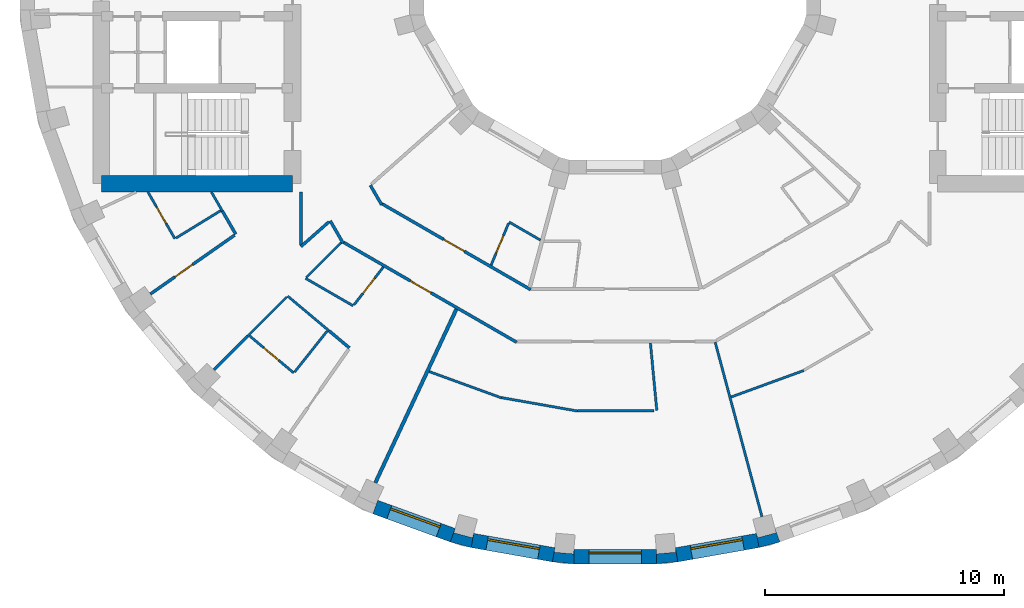
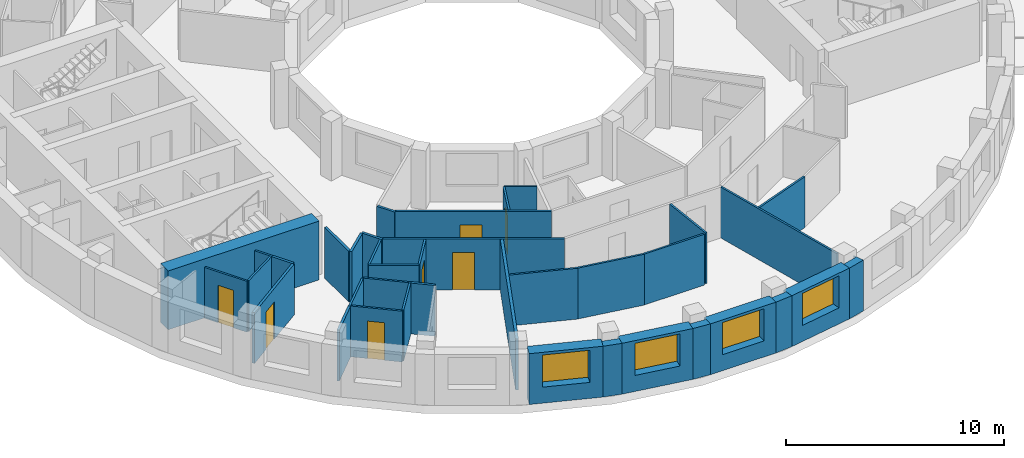
# One storey, part 2 of 11: 38 walls, 7 doors, 4 windows, 11 openings.
"""IFC4 building model written with IfcOpenShell, lengths in metres."""

from ifc_helpers import new_model, si_unit, direction, frame, frame_2d, origin, place, context, subcontext, project, spatial, polyline, rectangle, outline, extrude, material, layer, layer_set, type_object, element, fill, save


model = new_model("IFC4")

# Units and contexts
model_context = context("Model", 3, precision=1e-05, world=origin(), true_north=direction((0.0, 1.0)))
body_context = subcontext(model_context, "Body", "Model", "MODEL_VIEW")
ifc_project = project(units=[si_unit("LENGTHUNIT", "METRE"), si_unit("AREAUNIT", "SQUARE_METRE"), si_unit("VOLUMEUNIT", "CUBIC_METRE"), si_unit("PLANEANGLEUNIT", "RADIAN"), si_unit("MASSUNIT", "GRAM", prefix="KILO")], contexts=[model_context])

# Site, building, storey
site_placement = place(None, origin())
site = spatial("IfcSite", under=ifc_project, at=site_placement, CompositionType="ELEMENT")
building_placement = place(site_placement, origin())
building = spatial("IfcBuilding", under=site, at=building_placement, Name="Saqina Gate Tower", CompositionType="ELEMENT")
storey_placement = place(building_placement, frame((0.0, 0.0, 187.199951171875)))
storey = spatial("IfcBuildingStorey", under=building, at=storey_placement, Name="L53", CompositionType="ELEMENT", Elevation=187.199951171875)

# Walls
ifc_material_1 = material(Name="Brick masonry (buff)", Category="masonry")
wall_type_1 = type_object("IfcWallType", Name="BRICK PIER COPING BUFF", PredefinedType="SOLIDWALL", material=ifc_material_1)
wall_1_placement = place(storey_placement, origin())
element("IfcWall", 1, at=wall_1_placement, inside=storey, type_object=wall_type_1, Name="Pier cap L53 column 26", PredefinedType="SOLIDWALL", context=body_context, shape_type="SweptSolid", body=[
    extrude(outline(polyline([(-6.0234375, -24.22705078125), (-5.919189453125, -23.635986328125), (-5.967529296875, -23.81689453125), (-6.740478515625, -23.610107421875), (-6.69189453125, -23.428955078125), (-6.897216796875, -23.992919921875), (-6.0234375, -24.22705078125)])), origin(), (0.0, 0.0, 1.0), 2.85009765625),
])
wall_2_placement = place(storey_placement, origin())
element("IfcWall", 2, at=wall_2_placement, inside=storey, type_object=wall_type_1, Name="Pier cap L53 column 27", PredefinedType="SOLIDWALL", context=body_context, shape_type="SweptSolid", body=[
    extrude(outline(polyline([(-2.6259765625, -24.825927734375), (-1.724853515625, -24.90478515625), (-1.724853515625, -24.304931640625), (-1.7412109375, -24.491455078125), (-2.5380859375, -24.421630859375), (-2.521728515625, -24.235107421875), (-2.6259765625, -24.825927734375)])), origin(), (0.0, 0.0, 1.0), 2.85009765625),
])
wall_3_placement = place(storey_placement, origin())
element("IfcWall", 3, at=wall_3_placement, inside=storey, type_object=wall_type_1, Name="Pier cap L53 column 28", PredefinedType="SOLIDWALL", context=body_context, shape_type="SweptSolid", body=[
    extrude(outline(polyline([(1.724853515625, -24.90478515625), (2.6259765625, -24.825927734375), (2.521728515625, -24.235107421875), (2.5380859375, -24.421630859375), (1.7412109375, -24.491455078125), (1.724853515625, -24.304931640625), (1.724853515625, -24.90478515625)])), origin(), (0.0, 0.0, 1.0), 2.85009765625),
])
wall_4_placement = place(storey_placement, origin())
element("IfcWall", 4, at=wall_4_placement, inside=storey, type_object=wall_type_1, Name="Pier cap L53 column 29", PredefinedType="SOLIDWALL", context=body_context, shape_type="SweptSolid", body=[
    extrude(outline(polyline([(6.0234375, -24.22705078125), (6.897216796875, -23.992919921875), (6.69189453125, -23.428955078125), (6.740478515625, -23.610107421875), (5.967529296875, -23.81689453125), (5.919189453125, -23.635986328125), (6.0234375, -24.22705078125)])), origin(), (0.0, 0.0, 1.0), 2.85009765625),
])

# Wall, opening, window
ifc_material_2 = material(Name="Brick masonry (buff)", Category="masonry")
ifc_layer_1 = layer(ifc_material_2, 0.60009765625)
ifc_layer_set_1 = layer_set([ifc_layer_1], Name="FW-BRICK-BUFF")
wall_type_2 = type_object("IfcWallType", Name="FW-BRICK-BUFF", PredefinedType="SOLIDWALL", material=ifc_layer_set_1)
wall_5_placement = place(storey_placement, frame((-10.0361328125, -22.531005859375, 0.0), z_axis=(0.0, 0.0, 1.0), x_axis=(0.93968799822, -0.342032843455, 0.0)))
wall_5 = element("IfcWall", 5, at=wall_5_placement, inside=storey, type_object=wall_type_2, Name="Facade wall L53 facet 25", PredefinedType="SOLIDWALL", context=body_context, shape_type="SweptSolid", body=[
    extrude(rectangle(XDim=3.44970703125, YDim=0.60009765625, at=frame_2d((1.724853515625, 0.0))), origin(), (0.0, 0.0, 1.0), 2.85009765625),
])
opening_1_placement = place(wall_5_placement, frame((0.625, 0.0, 0.89990234375)))
opening_1 = element("IfcOpeningElement", 6, at=opening_1_placement, cuts=wall_5, Name="Opening G15-W17", PredefinedType="OPENING", context=body_context, shape_type="SweptSolid", body=[
    extrude(rectangle(XDim=2.199951171875, YDim=1.800048828125, at=frame_2d((1.10009765625, 0.89990234375))), frame((0.0, 0.31201171875, 0.0), z_axis=(0.0, -1.0, 0.0), x_axis=(1.0, 0.0, 0.0)), (0.0, 0.0, 1.0), 0.6240234375),
])
ifc_material_3 = material(Name="Aluminium glazing", Category="aluminium")
window_type = type_object("IfcWindowType", Name="WN-C", PartitioningType="SINGLE_PANEL", PredefinedType="WINDOW", material=ifc_material_3)
window_1_placement = place(opening_1_placement, origin())
window_1 = element("IfcWindow", 7, at=window_1_placement, inside=storey, type_object=window_type, Name="Window L53 facet 25", OverallHeight=1.800048828125, OverallWidth=2.199951171875, PartitioningType="SINGLE_PANEL", PredefinedType="WINDOW", context=body_context, shape_type="SweptSolid", body=[
    extrude(rectangle(XDim=2.199951171875, YDim=1.800048828125, at=frame_2d((1.10009765625, 0.89990234375))), frame((0.0, 0.179931640625, 0.0), z_axis=(0.0, -1.0, 0.0), x_axis=(1.0, 0.0, 0.0)), (0.0, 0.0, 1.0), 0.06005859375),
])
fill(opening_1, window_1)

wall_6_placement = place(storey_placement, frame((-5.97119140625, -23.931640625, 0.0), z_axis=(0.0, 0.0, 1.0), x_axis=(0.984814892183, -0.173607684551, 0.0)))
wall_6 = element("IfcWall", 8, at=wall_6_placement, inside=storey, type_object=wall_type_2, Name="Facade wall L53 facet 26", PredefinedType="SOLIDWALL", context=body_context, shape_type="SweptSolid", body=[
    extrude(rectangle(XDim=3.44970703125, YDim=0.60009765625, at=frame_2d((1.724853515625, 0.0))), origin(), (0.0, 0.0, 1.0), 2.85009765625),
])
opening_2_placement = place(wall_6_placement, frame((0.625, 0.0, 0.89990234375)))
opening_2 = element("IfcOpeningElement", 9, at=opening_2_placement, cuts=wall_6, Name="Opening G15-W18", PredefinedType="OPENING", context=body_context, shape_type="SweptSolid", body=[
    extrude(rectangle(XDim=2.199951171875, YDim=1.800048828125, at=frame_2d((1.10009765625, 0.89990234375))), frame((0.0, 0.31201171875, 0.0), z_axis=(0.0, -1.0, 0.0), x_axis=(1.0, 0.0, 0.0)), (0.0, 0.0, 1.0), 0.6240234375),
])
window_2_placement = place(opening_2_placement, origin())
window_2 = element("IfcWindow", 10, at=window_2_placement, inside=storey, type_object=window_type, Name="Window L53 facet 26", OverallHeight=1.800048828125, OverallWidth=2.199951171875, PartitioningType="SINGLE_PANEL", PredefinedType="WINDOW", context=body_context, shape_type="SweptSolid", body=[
    extrude(rectangle(XDim=2.199951171875, YDim=1.800048828125, at=frame_2d((1.10009765625, 0.89990234375))), frame((0.0, 0.179931640625, 0.0), z_axis=(0.0, -1.0, 0.0), x_axis=(1.0, 0.0, 0.0)), (0.0, 0.0, 1.0), 0.06005859375),
])
fill(opening_2, window_2)

wall_7_placement = place(storey_placement, frame((-1.724853515625, -24.60498046875, 0.0), z_axis=(0.0, 0.0, 1.0), x_axis=(1.0, 0.0, 0.0)))
wall_7 = element("IfcWall", 11, at=wall_7_placement, inside=storey, type_object=wall_type_2, Name="Facade wall L53 facet 27", PredefinedType="SOLIDWALL", context=body_context, shape_type="SweptSolid", body=[
    extrude(rectangle(XDim=3.44970703125, YDim=0.60009765625, at=frame_2d((1.724853515625, 0.0))), origin(), (0.0, 0.0, 1.0), 2.85009765625),
])
opening_3_placement = place(wall_7_placement, frame((0.625, 0.0, 0.89990234375)))
opening_3 = element("IfcOpeningElement", 12, at=opening_3_placement, cuts=wall_7, Name="Opening G15-W19", PredefinedType="OPENING", context=body_context, shape_type="SweptSolid", body=[
    extrude(rectangle(XDim=2.199951171875, YDim=1.800048828125, at=frame_2d((1.10009765625, 0.89990234375))), frame((0.0, 0.31201171875, 0.0), z_axis=(0.0, -1.0, 0.0), x_axis=(1.0, 0.0, 0.0)), (0.0, 0.0, 1.0), 0.6240234375),
])
window_3_placement = place(opening_3_placement, origin())
window_3 = element("IfcWindow", 13, at=window_3_placement, inside=storey, type_object=window_type, Name="Window L53 facet 27", OverallHeight=1.800048828125, OverallWidth=2.199951171875, PartitioningType="SINGLE_PANEL", PredefinedType="WINDOW", context=body_context, shape_type="SweptSolid", body=[
    extrude(rectangle(XDim=2.199951171875, YDim=1.800048828125, at=frame_2d((1.10009765625, 0.89990234375))), frame((0.0, 0.179931640625, 0.0), z_axis=(0.0, -1.0, 0.0), x_axis=(1.0, 0.0, 0.0)), (0.0, 0.0, 1.0), 0.06005859375),
])
fill(opening_3, window_3)

wall_8_placement = place(storey_placement, frame((2.573974609375, -24.530517578125, 0.0), z_axis=(0.0, 0.0, 1.0), x_axis=(0.984814892183, 0.173607684551, 0.0)))
wall_8 = element("IfcWall", 14, at=wall_8_placement, inside=storey, type_object=wall_type_2, Name="Facade wall L53 facet 28", PredefinedType="SOLIDWALL", context=body_context, shape_type="SweptSolid", body=[
    extrude(rectangle(XDim=3.44970703125, YDim=0.60009765625, at=frame_2d((1.724853515625, 0.0))), origin(), (0.0, 0.0, 1.0), 2.85009765625),
])
opening_4_placement = place(wall_8_placement, frame((0.625, 0.0, 0.89990234375)))
opening_4 = element("IfcOpeningElement", 15, at=opening_4_placement, cuts=wall_8, Name="Opening G15-W20", PredefinedType="OPENING", context=body_context, shape_type="SweptSolid", body=[
    extrude(rectangle(XDim=2.199951171875, YDim=1.800048828125, at=frame_2d((1.10009765625, 0.89990234375))), frame((0.0, 0.31201171875, 0.0), z_axis=(0.0, -1.0, 0.0), x_axis=(1.0, 0.0, 0.0)), (0.0, 0.0, 1.0), 0.6240234375),
])
window_4_placement = place(opening_4_placement, origin())
window_4 = element("IfcWindow", 16, at=window_4_placement, inside=storey, type_object=window_type, Name="Window L53 facet 28", OverallHeight=1.800048828125, OverallWidth=2.199951171875, PartitioningType="SINGLE_PANEL", PredefinedType="WINDOW", context=body_context, shape_type="SweptSolid", body=[
    extrude(rectangle(XDim=2.199951171875, YDim=1.800048828125, at=frame_2d((1.10009765625, 0.89990234375))), frame((0.0, 0.179931640625, 0.0), z_axis=(0.0, -1.0, 0.0), x_axis=(1.0, 0.0, 0.0)), (0.0, 0.0, 1.0), 0.06005859375),
])
fill(opening_4, window_4)

# Walls
ifc_material_4 = material(Name="Gypsum board on steel studs, 100 mm", Category="steel")
ifc_layer_2 = layer(ifc_material_4, 0.10009765625)
ifc_layer_set_2 = layer_set([ifc_layer_2], Name="PARTITION 100")
wall_type_3 = type_object("IfcWallType", Name="PARTITION 100", PredefinedType="PARTITIONING", material=ifc_layer_set_2)
wall_9_placement = place(storey_placement, frame((1.477783203125, -15.662109375, 0.0), z_axis=(0.0, 0.0, 1.0), x_axis=(0.094349605613, -0.995539126263, 0.0)))
element("IfcWall", 17, at=wall_9_placement, inside=storey, type_object=wall_type_3, Name="PARTITION PW3-01", PredefinedType="PARTITIONING", context=body_context, shape_type="SweptSolid", body=[
    extrude(rectangle(XDim=2.83349609375, YDim=0.10009765625, at=frame_2d((1.416748046875, 0.0))), origin(), (0.0, 0.0, 1.0), 2.85009765625),
])
wall_10_placement = place(storey_placement, frame((4.188720703125, -15.63232421875, 0.0), z_axis=(0.0, 0.0, 1.0), x_axis=(0.258899197964, -0.96590434583, 0.0)))
element("IfcWall", 18, at=wall_10_placement, inside=storey, type_object=wall_type_3, Name="PARTITION PW3-04", PredefinedType="PARTITIONING", context=body_context, shape_type="SweptSolid", body=[
    extrude(rectangle(XDim=7.55615234375, YDim=0.10009765625, at=frame_2d((3.778076171875, 0.0))), origin(), (0.0, 0.0, 1.0), 2.85009765625),
])

# Wall, opening, door
wall_11_placement = place(storey_placement, frame((-19.549072265625, -9.35009765625, 0.0), z_axis=(0.0, 0.0, 1.0), x_axis=(0.500006872736, -0.866021435772, 0.0)))
wall_11 = element("IfcWall", 19, at=wall_11_placement, inside=storey, type_object=wall_type_3, Name="PARTITION PW3-06", PredefinedType="PARTITIONING", context=body_context, shape_type="SweptSolid", body=[
    extrude(rectangle(XDim=2.25390625, YDim=0.10009765625, at=frame_2d((1.126953125, 0.0))), origin(), (0.0, 0.0, 1.0), 2.85009765625),
])
opening_5_placement = place(wall_11_placement, frame((0.72705078125, 0.0, 0.0)))
opening_5 = element("IfcOpeningElement", 20, at=opening_5_placement, cuts=wall_11, Name="Opening G15-D22", PredefinedType="OPENING", context=body_context, shape_type="SweptSolid", body=[
    extrude(rectangle(XDim=0.800048828125, YDim=2.10009765625, at=frame_2d((0.39990234375, 1.050048828125))), frame((0.0, 0.06201171875, 0.0), z_axis=(0.0, -1.0, 0.0), x_axis=(1.0, 0.0, 0.0)), (0.0, 0.0, 1.0), 0.1240234375),
])
ifc_material_5 = material(Name="Timber door leaf, 800 mm", Category="wood")
door_type_1 = type_object("IfcDoorType", Name="DOOR 800 TIMBER", OperationType="SINGLE_SWING_LEFT", PredefinedType="DOOR", material=ifc_material_5)
door_1_placement = place(opening_5_placement, frame((0.800048828125, 0.0, 0.0), z_axis=(0.0, 0.0, 1.0), x_axis=(-1.0, 0.0, 0.0)))
door_1 = element("IfcDoor", 21, at=door_1_placement, inside=storey, type_object=door_type_1, Name="DOOR G15-D22", OperationType="SINGLE_SWING_LEFT", OverallHeight=2.10009765625, OverallWidth=0.800048828125, PredefinedType="DOOR", context=body_context, shape_type="SweptSolid", body=[
    extrude(rectangle(XDim=0.800048828125, YDim=2.10009765625, at=frame_2d((0.39990234375, 1.050048828125))), frame((0.0, 0.02490234375, 0.0), z_axis=(0.0, -1.0, 0.0), x_axis=(1.0, 0.0, 0.0)), (0.0, 0.0, 1.0), 0.050048828125),
])
fill(opening_5, door_1)

# Wall
wall_12_placement = place(storey_placement, frame((-16.89306640625, -9.35009765625, 0.0), z_axis=(0.0, 0.0, 1.0), x_axis=(0.499699344759, -0.866198917598, 0.0)))
element("IfcWall", 22, at=wall_12_placement, inside=storey, type_object=wall_type_3, Name="PARTITION PW3-07", PredefinedType="PARTITIONING", context=body_context, shape_type="SweptSolid", body=[
    extrude(rectangle(XDim=0.91455078125, YDim=0.10009765625, at=frame_2d((0.457275390625, 0.0))), origin(), (0.0, 0.0, 1.0), 2.85009765625),
])

# Wall, opening, door
wall_13_placement = place(storey_placement, frame((-15.29638671875, -15.367431640625, 0.0), z_axis=(0.0, 0.0, 1.0), x_axis=(0.766039095888, -0.642793982215, 0.0)))
wall_13 = element("IfcWall", 23, at=wall_13_placement, inside=storey, type_object=wall_type_3, Name="PARTITION PW3-19", PredefinedType="PARTITIONING", context=body_context, shape_type="SweptSolid", body=[
    extrude(rectangle(XDim=2.416748046875, YDim=0.10009765625, at=frame_2d((1.20849609375, 0.0))), origin(), (0.0, 0.0, 1.0), 2.85009765625),
])
opening_6_placement = place(wall_13_placement, frame((0.783203125, 0.0, 0.0)))
opening_6 = element("IfcOpeningElement", 24, at=opening_6_placement, cuts=wall_13, Name="Opening G15-D24", PredefinedType="OPENING", context=body_context, shape_type="SweptSolid", body=[
    extrude(rectangle(XDim=0.800048828125, YDim=2.10009765625, at=frame_2d((0.39990234375, 1.050048828125))), frame((0.0, 0.06201171875, 0.0), z_axis=(0.0, -1.0, 0.0), x_axis=(1.0, 0.0, 0.0)), (0.0, 0.0, 1.0), 0.1240234375),
])
door_2_placement = place(opening_6_placement, frame((0.800048828125, 0.0, 0.0), z_axis=(0.0, 0.0, 1.0), x_axis=(-1.0, 0.0, 0.0)))
door_2 = element("IfcDoor", 25, at=door_2_placement, inside=storey, type_object=door_type_1, Name="DOOR G15-D24", OperationType="SINGLE_SWING_RIGHT", OverallHeight=2.10009765625, OverallWidth=0.800048828125, PredefinedType="DOOR", context=body_context, shape_type="SweptSolid", body=[
    extrude(rectangle(XDim=0.800048828125, YDim=2.10009765625, at=frame_2d((0.39990234375, 1.050048828125))), frame((0.0, 0.02490234375, 0.0), z_axis=(0.0, -1.0, 0.0), x_axis=(1.0, 0.0, 0.0)), (0.0, 0.0, 1.0), 0.050048828125),
])
fill(opening_6, door_2)

# Walls
wall_14_placement = place(storey_placement, frame((-13.702880859375, -13.702880859375, 0.0), z_axis=(0.0, 0.0, 1.0), x_axis=(0.766078026129, -0.642747584891, 0.0)))
element("IfcWall", 26, at=wall_14_placement, inside=storey, type_object=wall_type_3, Name="PARTITION PW3-20", PredefinedType="PARTITIONING", context=body_context, shape_type="SweptSolid", body=[
    extrude(rectangle(XDim=2.254638671875, YDim=0.10009765625, at=frame_2d((1.12744140625, 0.0))), origin(), (0.0, 0.0, 1.0), 2.85009765625),
])
wall_15_placement = place(storey_placement, frame((-12.955078125, -12.958251953125, 0.0), z_axis=(0.0, 0.0, 1.0), x_axis=(0.865950774653, -0.500129239174, 0.0)))
element("IfcWall", 27, at=wall_15_placement, inside=storey, type_object=wall_type_3, Name="PARTITION PW3-22", PredefinedType="PARTITIONING", context=body_context, shape_type="SweptSolid", body=[
    extrude(rectangle(XDim=2.30322265625, YDim=0.10009765625, at=frame_2d((1.151611328125, 0.0))), origin(), (0.0, 0.0, 1.0), 2.85009765625),
])
wall_16_placement = place(storey_placement, frame((-4.43505859375, -10.60302734375, 0.0), z_axis=(0.0, 0.0, 1.0), x_axis=(0.865968730787, -0.500098147666, 0.0)))
element("IfcWall", 28, at=wall_16_placement, inside=storey, type_object=wall_type_3, Name="PARTITION PW3-23", PredefinedType="PARTITIONING", context=body_context, shape_type="SweptSolid", body=[
    extrude(rectangle(XDim=1.518798828125, YDim=0.10009765625, at=frame_2d((0.75927734375, 0.0))), origin(), (0.0, 0.0, 1.0), 2.85009765625),
])
wall_17_placement = place(storey_placement, frame((-7.779541015625, -16.860595703125, 0.0), z_axis=(0.0, 0.0, 1.0), x_axis=(0.939600282454, -0.34227373433, 0.0)))
element("IfcWall", 29, at=wall_17_placement, inside=storey, type_object=wall_type_3, Name="PARTITION PW3-29", PredefinedType="PARTITIONING", context=body_context, shape_type="SweptSolid", body=[
    extrude(rectangle(XDim=3.21337890625, YDim=0.10009765625, at=frame_2d((1.606689453125, 0.0))), origin(), (0.0, 0.0, 1.0), 2.85009765625),
])
wall_18_placement = place(storey_placement, frame((-4.7587890625, -17.95166015625, 0.0), z_axis=(0.0, 0.0, 1.0), x_axis=(0.984816929669, -0.173596126217, 0.0)))
element("IfcWall", 30, at=wall_18_placement, inside=storey, type_object=wall_type_3, Name="PARTITION PW3-30", PredefinedType="PARTITIONING", context=body_context, shape_type="SweptSolid", body=[
    extrude(rectangle(XDim=3.23876953125, YDim=0.10009765625, at=frame_2d((1.619384765625, 0.0))), origin(), (0.0, 0.0, 1.0), 2.85009765625),
])
wall_19_placement = place(storey_placement, frame((-1.569091796875, -18.5048828125, 0.0), z_axis=(0.0, 0.0, 1.0), x_axis=(1.0, 0.0, 0.0)))
element("IfcWall", 31, at=wall_19_placement, inside=storey, type_object=wall_type_3, Name="PARTITION PW3-31", PredefinedType="PARTITIONING", context=body_context, shape_type="SweptSolid", body=[
    extrude(rectangle(XDim=3.18798828125, YDim=0.10009765625, at=frame_2d((1.593994140625, 0.0))), origin(), (0.0, 0.0, 1.0), 2.85009765625),
])
wall_20_placement = place(storey_placement, frame((4.85498046875, -17.92578125, 0.0), z_axis=(0.0, 0.0, 1.0), x_axis=(0.939623811072, 0.342209137323, 0.0)))
element("IfcWall", 32, at=wall_20_placement, inside=storey, type_object=wall_type_3, Name="PARTITION PW3-36", PredefinedType="PARTITIONING", context=body_context, shape_type="SweptSolid", body=[
    extrude(rectangle(XDim=3.23828125, YDim=0.10009765625, at=frame_2d((1.619140625, 0.0))), origin(), (0.0, 0.0, 1.0), 2.85009765625),
])
wall_21_placement = place(storey_placement, frame((-18.37939453125, -11.27587890625, 0.0), z_axis=(0.0, 0.0, 1.0), x_axis=(0.852400277597, 0.522889822766, 0.0)))
element("IfcWall", 33, at=wall_21_placement, inside=storey, type_object=wall_type_3, Name="PARTITION PW3-43", PredefinedType="PARTITIONING", context=body_context, shape_type="SweptSolid", body=[
    extrude(rectangle(XDim=2.200439453125, YDim=0.10009765625, at=frame_2d((1.10009765625, 0.0))), origin(), (0.0, 0.0, 1.0), 2.85009765625),
])
wall_22_placement = place(storey_placement, frame((-15.370361328125, -15.370361328125, 0.0), z_axis=(0.0, 0.0, 1.0), x_axis=(0.707106781187, 0.707106781187, 0.0)))
element("IfcWall", 34, at=wall_22_placement, inside=storey, type_object=wall_type_3, Name="PARTITION PW3-48", PredefinedType="PARTITIONING", context=body_context, shape_type="SweptSolid", body=[
    extrude(rectangle(XDim=2.306640625, YDim=0.10009765625, at=frame_2d((1.1533203125, 0.0))), origin(), (0.0, 0.0, 1.0), 2.85009765625),
])
wall_23_placement = place(storey_placement, frame((-12.920654296875, -12.920654296875, 0.0), z_axis=(0.0, 0.0, 1.0), x_axis=(0.707106781187, 0.707106781187, 0.0)))
element("IfcWall", 35, at=wall_23_placement, inside=storey, type_object=wall_type_3, Name="PARTITION PW3-49", PredefinedType="PARTITIONING", context=body_context, shape_type="SweptSolid", body=[
    extrude(rectangle(XDim=2.059814453125, YDim=0.10009765625, at=frame_2d((1.02978515625, 0.0))), origin(), (0.0, 0.0, 1.0), 2.85009765625),
])
wall_24_placement = place(storey_placement, frame((-13.413818359375, -16.8818359375, 0.0), z_axis=(0.0, 0.0, 1.0), x_axis=(0.622051214474, 0.78297655557, 0.0)))
element("IfcWall", 36, at=wall_24_placement, inside=storey, type_object=wall_type_3, Name="PARTITION PW3-53", PredefinedType="PARTITIONING", context=body_context, shape_type="SweptSolid", body=[
    extrude(rectangle(XDim=2.187744140625, YDim=0.10009765625, at=frame_2d((1.09375, 0.0))), origin(), (0.0, 0.0, 1.0), 2.85009765625),
])

# Wall, opening, door
wall_25_placement = place(storey_placement, frame((-10.92822265625, -14.071533203125, 0.0), z_axis=(0.0, 0.0, 1.0), x_axis=(0.61326580162, 0.789876608442, 0.0)))
wall_25 = element("IfcWall", 37, at=wall_25_placement, inside=storey, type_object=wall_type_3, Name="PARTITION PW3-54", PredefinedType="PARTITIONING", context=body_context, shape_type="SweptSolid", body=[
    extrude(rectangle(XDim=2.00439453125, YDim=0.10009765625, at=frame_2d((1.002197265625, 0.0))), origin(), (0.0, 0.0, 1.0), 2.85009765625),
])
opening_7_placement = place(wall_25_placement, frame((0.610107421875, 0.0, 0.0)))
opening_7 = element("IfcOpeningElement", 38, at=opening_7_placement, cuts=wall_25, Name="Opening G15-D25", PredefinedType="OPENING", context=body_context, shape_type="SweptSolid", body=[
    extrude(rectangle(XDim=0.800048828125, YDim=2.10009765625, at=frame_2d((0.39990234375, 1.050048828125))), frame((0.0, 0.06201171875, 0.0), z_axis=(0.0, -1.0, 0.0), x_axis=(1.0, 0.0, 0.0)), (0.0, 0.0, 1.0), 0.1240234375),
])
door_3_placement = place(opening_7_placement, frame((0.800048828125, 0.0, 0.0), z_axis=(0.0, 0.0, 1.0), x_axis=(-1.0, 0.0, 0.0)))
door_3 = element("IfcDoor", 39, at=door_3_placement, inside=storey, type_object=door_type_1, Name="DOOR G15-D25", OperationType="SINGLE_SWING_LEFT", OverallHeight=2.10009765625, OverallWidth=0.800048828125, PredefinedType="DOOR", context=body_context, shape_type="SweptSolid", body=[
    extrude(rectangle(XDim=0.800048828125, YDim=2.10009765625, at=frame_2d((0.39990234375, 1.050048828125))), frame((0.0, 0.02490234375, 0.0), z_axis=(0.0, -1.0, 0.0), x_axis=(1.0, 0.0, 0.0)), (0.0, 0.0, 1.0), 0.050048828125),
])
fill(opening_7, door_3)

wall_26_placement = place(storey_placement, frame((-5.18896484375, -12.4052734375, 0.0), z_axis=(0.0, 0.0, 1.0), x_axis=(0.385917276583, 0.922533389984, 0.0)))
wall_26 = element("IfcWall", 40, at=wall_26_placement, inside=storey, type_object=wall_type_3, Name="PARTITION PW3-60", PredefinedType="PARTITIONING", context=body_context, shape_type="SweptSolid", body=[
    extrude(rectangle(XDim=1.903564453125, YDim=0.10009765625, at=frame_2d((0.95166015625, 0.0))), origin(), (0.0, 0.0, 1.0), 2.85009765625),
])
opening_8_placement = place(wall_26_placement, frame((0.545654296875, 0.0, 0.0)))
opening_8 = element("IfcOpeningElement", 41, at=opening_8_placement, cuts=wall_26, Name="Opening G15-D29", PredefinedType="OPENING", context=body_context, shape_type="SweptSolid", body=[
    extrude(rectangle(XDim=0.800048828125, YDim=2.10009765625, at=frame_2d((0.39990234375, 1.050048828125))), frame((0.0, 0.06201171875, 0.0), z_axis=(0.0, -1.0, 0.0), x_axis=(1.0, 0.0, 0.0)), (0.0, 0.0, 1.0), 0.1240234375),
])
door_4_placement = place(opening_8_placement, origin())
door_4 = element("IfcDoor", 42, at=door_4_placement, inside=storey, type_object=door_type_1, Name="DOOR G15-D29", OperationType="SINGLE_SWING_LEFT", OverallHeight=2.10009765625, OverallWidth=0.800048828125, PredefinedType="DOOR", context=body_context, shape_type="SweptSolid", body=[
    extrude(rectangle(XDim=0.800048828125, YDim=2.10009765625, at=frame_2d((0.39990234375, 1.050048828125))), frame((0.0, 0.02490234375, 0.0), z_axis=(0.0, -1.0, 0.0), x_axis=(1.0, 0.0, 0.0)), (0.0, 0.0, 1.0), 0.050048828125),
])
fill(opening_8, door_4)

# Walls
ifc_material_6 = material(Name="Gypsum board on steel studs, 125 mm, fire rated", Category="steel")
ifc_layer_3 = layer(ifc_material_6, 0.125)
ifc_layer_set_3 = layer_set([ifc_layer_3], Name="PARTITION EI 30 125")
wall_type_4 = type_object("IfcWallType", Name="PARTITION EI 30 125", PredefinedType="PARTITIONING", material=ifc_layer_set_3)
wall_27_placement = place(storey_placement, frame((-11.921142578125, -10.550537109375, 0.0), z_axis=(0.0, 0.0, 1.0), x_axis=(0.497529675686, -0.867446956195, 0.0)))
element("IfcWall", 43, at=wall_27_placement, inside=storey, type_object=wall_type_4, Name="PARTITION PW1-01", PredefinedType="PARTITIONING", context=body_context, shape_type="SweptSolid", body=[
    extrude(rectangle(XDim=1.0771484375, YDim=0.125, at=frame_2d((0.53857421875, 0.0))), origin(), (0.0, 0.0, 1.0), 2.85009765625),
])
wall_28_placement = place(storey_placement, frame((-16.43603515625, -10.142333984375, 0.0), z_axis=(0.0, 0.0, 1.0), x_axis=(0.500306615371, -0.865848306932, 0.0)))
element("IfcWall", 44, at=wall_28_placement, inside=storey, type_object=wall_type_4, Name="PARTITION PW1-02", PredefinedType="PARTITIONING", context=body_context, shape_type="SweptSolid", body=[
    extrude(rectangle(XDim=1.121337890625, YDim=0.125, at=frame_2d((0.560546875, 0.0))), origin(), (0.0, 0.0, 1.0), 2.85009765625),
])
wall_29_placement = place(storey_placement, frame((-10.243896484375, -9.062255859375, 0.0), z_axis=(0.0, 0.0, 1.0), x_axis=(0.501067067948, -0.865408454672, 0.0)))
element("IfcWall", 45, at=wall_29_placement, inside=storey, type_object=wall_type_4, Name="PARTITION PW1-04", PredefinedType="PARTITIONING", context=body_context, shape_type="SweptSolid", body=[
    extrude(rectangle(XDim=0.9375, YDim=0.125, at=frame_2d((0.46875, 0.0))), origin(), (0.0, 0.0, 1.0), 2.85009765625),
])
wall_30_placement = place(storey_placement, frame((-11.9755859375, -15.152099609375, 0.0), z_axis=(0.0, 0.0, 1.0), x_axis=(0.766125727854, -0.642690725871, 0.0)))
element("IfcWall", 46, at=wall_30_placement, inside=storey, type_object=wall_type_4, Name="PARTITION PW1-12", PredefinedType="PARTITIONING", context=body_context, shape_type="SweptSolid", body=[
    extrude(rectangle(XDim=1.119384765625, YDim=0.125, at=frame_2d((0.5595703125, 0.0))), origin(), (0.0, 0.0, 1.0), 2.85009765625),
])

# Wall, opening, door
wall_31_placement = place(storey_placement, frame((-11.365966796875, -11.451171875, 0.0), z_axis=(0.0, 0.0, 1.0), x_axis=(0.866032091518, -0.499988416326, 0.0)))
wall_31 = element("IfcWall", 47, at=wall_31_placement, inside=storey, type_object=wall_type_4, Name="PARTITION PW1-14", PredefinedType="PARTITIONING", context=body_context, shape_type="SweptSolid", body=[
    extrude(rectangle(XDim=8.369873046875, YDim=0.125, at=frame_2d((4.18505859375, 0.0))), origin(), (0.0, 0.0, 1.0), 2.85009765625),
])
opening_9_placement = place(wall_31_placement, frame((3.2255859375, 0.0, 0.0)))
opening_9 = element("IfcOpeningElement", 48, at=opening_9_placement, cuts=wall_31, Name="Opening G15-D27", PredefinedType="OPENING", context=body_context, shape_type="SweptSolid", body=[
    extrude(rectangle(XDim=1.0, YDim=2.10009765625, at=frame_2d((0.5, 1.050048828125))), frame((0.0, 0.074462890625, 0.0), z_axis=(0.0, -1.0, 0.0), x_axis=(1.0, 0.0, 0.0)), (0.0, 0.0, 1.0), 0.14892578125),
])
ifc_material_7 = material(Name="Fire door leaf EI 30, 1000 mm")
door_type_2 = type_object("IfcDoorType", Name="DOOR 1000 EI 30", OperationType="SINGLE_SWING_LEFT", PredefinedType="DOOR", material=ifc_material_7)
door_5_placement = place(opening_9_placement, frame((1.0, 0.0, 0.0), z_axis=(0.0, 0.0, 1.0), x_axis=(-1.0, 0.0, 0.0)))
door_5 = element("IfcDoor", 49, at=door_5_placement, inside=storey, type_object=door_type_2, Name="DOOR G15-D27", OperationType="SINGLE_SWING_RIGHT", OverallHeight=2.10009765625, OverallWidth=1.0, PredefinedType="DOOR", context=body_context, shape_type="SweptSolid", body=[
    extrude(rectangle(XDim=1.0, YDim=2.10009765625, at=frame_2d((0.5, 1.050048828125))), frame((0.0, 0.02490234375, 0.0), z_axis=(0.0, -1.0, 0.0), x_axis=(1.0, 0.0, 0.0)), (0.0, 0.0, 1.0), 0.050048828125),
])
fill(opening_9, door_5)

wall_32_placement = place(storey_placement, frame((-9.7548828125, -9.84033203125, 0.0), z_axis=(0.0, 0.0, 1.0), x_axis=(0.865968995572, -0.500097689165, 0.0)))
wall_32 = element("IfcWall", 50, at=wall_32_placement, inside=storey, type_object=wall_type_4, Name="PARTITION PW1-15", PredefinedType="PARTITIONING", context=body_context, shape_type="SweptSolid", body=[
    extrude(rectangle(XDim=7.18994140625, YDim=0.125, at=frame_2d((3.594970703125, 0.0))), origin(), (0.0, 0.0, 1.0), 2.85009765625),
])
opening_10_placement = place(wall_32_placement, frame((2.976806640625, 0.0, 0.0)))
opening_10 = element("IfcOpeningElement", 51, at=opening_10_placement, cuts=wall_32, Name="Opening G15-D28", PredefinedType="OPENING", context=body_context, shape_type="SweptSolid", body=[
    extrude(rectangle(XDim=1.0, YDim=2.10009765625, at=frame_2d((0.5, 1.050048828125))), frame((0.0, 0.074462890625, 0.0), z_axis=(0.0, -1.0, 0.0), x_axis=(1.0, 0.0, 0.0)), (0.0, 0.0, 1.0), 0.14892578125),
])
door_6_placement = place(opening_10_placement, origin())
door_6 = element("IfcDoor", 52, at=door_6_placement, inside=storey, type_object=door_type_2, Name="DOOR G15-D28", OperationType="SINGLE_SWING_LEFT", OverallHeight=2.10009765625, OverallWidth=1.0, PredefinedType="DOOR", context=body_context, shape_type="SweptSolid", body=[
    extrude(rectangle(XDim=1.0, YDim=2.10009765625, at=frame_2d((0.5, 1.050048828125))), frame((0.0, 0.02490234375, 0.0), z_axis=(0.0, -1.0, 0.0), x_axis=(1.0, 0.0, 0.0)), (0.0, 0.0, 1.0), 0.050048828125),
])
fill(opening_10, door_6)

wall_33_placement = place(storey_placement, frame((-19.44677734375, -13.616455078125, 0.0), z_axis=(0.0, 0.0, 1.0), x_axis=(0.819407978004, 0.573210751455, 0.0)))
wall_33 = element("IfcWall", 53, at=wall_33_placement, inside=storey, type_object=wall_type_4, Name="PARTITION PW1-27", PredefinedType="PARTITIONING", context=body_context, shape_type="SweptSolid", body=[
    extrude(rectangle(XDim=4.298828125, YDim=0.125, at=frame_2d((2.1494140625, 0.0))), origin(), (0.0, 0.0, 1.0), 2.85009765625),
])
opening_11_placement = place(wall_33_placement, frame((1.25341796875, 0.0, 0.0)))
opening_11 = element("IfcOpeningElement", 54, at=opening_11_placement, cuts=wall_33, Name="Opening G15-D23", PredefinedType="OPENING", context=body_context, shape_type="SweptSolid", body=[
    extrude(rectangle(XDim=0.89990234375, YDim=2.10009765625, at=frame_2d((0.449951171875, 1.050048828125))), frame((0.0, 0.074462890625, 0.0), z_axis=(0.0, -1.0, 0.0), x_axis=(1.0, 0.0, 0.0)), (0.0, 0.0, 1.0), 0.14892578125),
])
ifc_material_8 = material(Name="Fire door leaf EI 30, 900 mm")
door_type_3 = type_object("IfcDoorType", Name="DOOR 900 EI 30", OperationType="SINGLE_SWING_LEFT", PredefinedType="DOOR", material=ifc_material_8)
door_7_placement = place(opening_11_placement, frame((0.89990234375, 0.0, 0.0), z_axis=(0.0, 0.0, 1.0), x_axis=(-1.0, 0.0, 0.0)))
door_7 = element("IfcDoor", 55, at=door_7_placement, inside=storey, type_object=door_type_3, Name="DOOR G15-D23", OperationType="SINGLE_SWING_RIGHT", OverallHeight=2.10009765625, OverallWidth=0.89990234375, PredefinedType="DOOR", context=body_context, shape_type="SweptSolid", body=[
    extrude(rectangle(XDim=0.89990234375, YDim=2.10009765625, at=frame_2d((0.449951171875, 1.050048828125))), frame((0.0, 0.02490234375, 0.0), z_axis=(0.0, -1.0, 0.0), x_axis=(1.0, 0.0, 0.0)), (0.0, 0.0, 1.0), 0.050048828125),
])
fill(opening_11, door_7)

# Walls
wall_34_placement = place(storey_placement, frame((-13.147216796875, -11.631103515625, 0.0), z_axis=(0.0, 0.0, 1.0), x_axis=(0.749266337154, 0.662268794379, 0.0)))
element("IfcWall", 56, at=wall_34_placement, inside=storey, type_object=wall_type_4, Name="PARTITION PW1-30", PredefinedType="PARTITIONING", context=body_context, shape_type="SweptSolid", body=[
    extrude(rectangle(XDim=1.571533203125, YDim=0.125, at=frame_2d((0.78564453125, 0.0))), origin(), (0.0, 0.0, 1.0), 2.85009765625),
])
wall_35_placement = place(storey_placement, frame((-16.78662109375, -16.78662109375, 0.0), z_axis=(0.0, 0.0, 1.0), x_axis=(0.707106781187, 0.707106781187, 0.0)))
element("IfcWall", 57, at=wall_35_placement, inside=storey, type_object=wall_type_4, Name="PARTITION PW1-34", PredefinedType="PARTITIONING", context=body_context, shape_type="SweptSolid", body=[
    extrude(rectangle(XDim=2.0029296875, YDim=0.125, at=frame_2d((1.00146484375, 0.0))), origin(), (0.0, 0.0, 1.0), 2.85009765625),
])
wall_36_placement = place(storey_placement, frame((-13.14990234375, -11.5673828125, 0.0), z_axis=(0.0, 0.0, 1.0), x_axis=(0.0, 1.0, 0.0)))
element("IfcWall", 58, at=wall_36_placement, inside=storey, type_object=wall_type_4, Name="PARTITION PW1-47", PredefinedType="PARTITIONING", context=body_context, shape_type="SweptSolid", body=[
    extrude(rectangle(XDim=2.21630859375, YDim=0.125, at=frame_2d((1.108154296875, 0.0))), origin(), (0.0, 0.0, 1.0), 2.85009765625),
])
ifc_material_9 = material(Name="Gypsum board on steel studs, 150 mm, fire rated", Category="steel")
ifc_layer_4 = layer(ifc_material_9, 0.14990234375)
ifc_layer_set_4 = layer_set([ifc_layer_4], Name="PARTITION EI 60 150")
wall_type_5 = type_object("IfcWallType", Name="PARTITION EI 60 150", PredefinedType="PARTITIONING", material=ifc_layer_set_4)
wall_37_placement = place(storey_placement, frame((-10.03369140625, -21.515380859375, 0.0), z_axis=(0.0, 0.0, 1.0), x_axis=(0.422970482998, 0.906143460227, 0.0)))
element("IfcWall", 59, at=wall_37_placement, inside=storey, type_object=wall_type_5, Name="PARTITION PW2-04", PredefinedType="PARTITIONING", context=body_context, shape_type="SweptSolid", body=[
    extrude(rectangle(XDim=8.017333984375, YDim=0.14990234375, at=frame_2d((4.0087890625, 0.0))), origin(), (0.0, 0.0, 1.0), 2.85009765625),
])
ifc_material_10 = material(Name="Concrete C60/75", Category="concrete")
ifc_layer_5 = layer(ifc_material_10, 0.699951171875)
ifc_layer_set_5 = layer_set([ifc_layer_5], Name="Concrete C60/75")
wall_type_6 = type_object("IfcWallType", Name="STR-CORE WALL-C-O", PredefinedType="SHEAR", material=ifc_layer_set_5)
wall_38_placement = place(storey_placement, frame((-13.5, -9.0, 0.0), z_axis=(0.0, 0.0, 1.0), x_axis=(-1.0, 0.0, 0.0)))
element("IfcWall", 60, at=wall_38_placement, inside=storey, type_object=wall_type_6, Name="CORE WALL L53 W-SE", PredefinedType="SHEAR", context=body_context, shape_type="SweptSolid", body=[
    extrude(rectangle(XDim=8.0, YDim=0.699951171875, at=frame_2d((4.0, 0.0))), origin(), (0.0, 0.0, 1.0), 3.300048828125),
])

save(model, "model.ifc")
